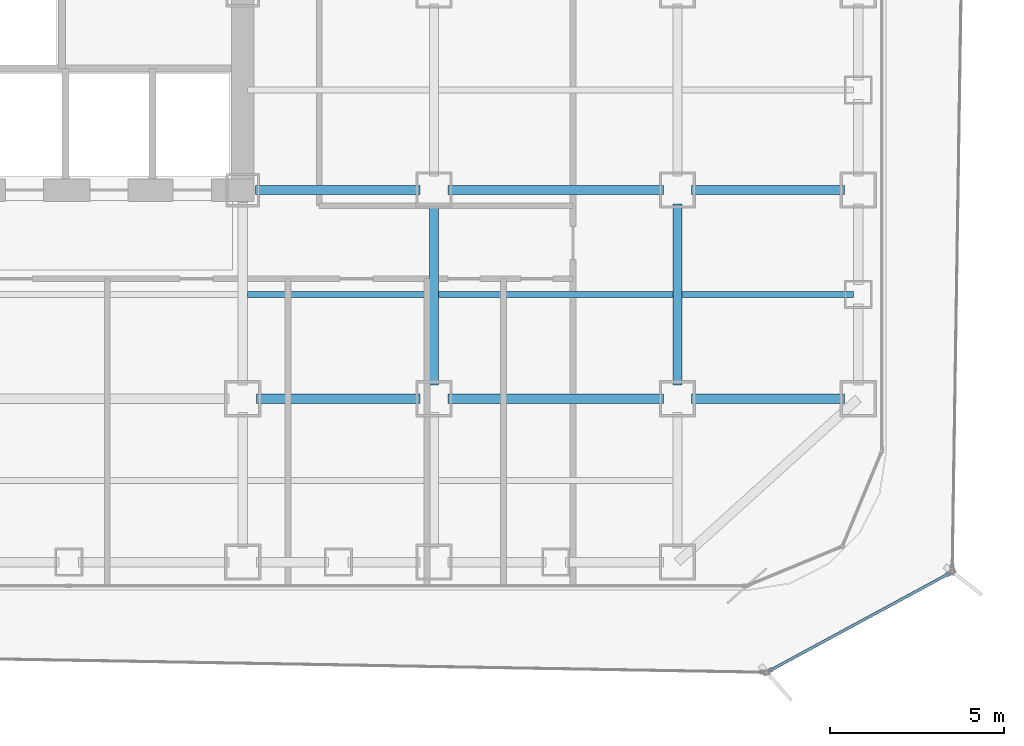
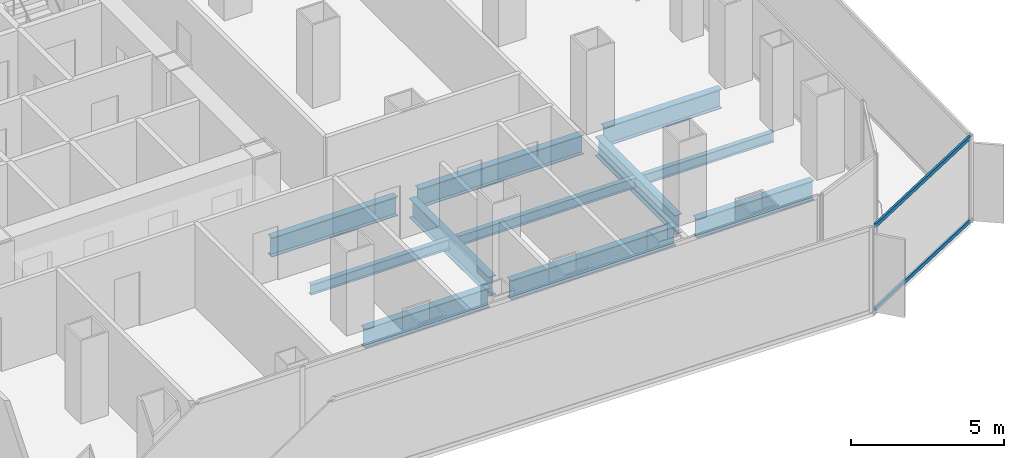
# One storey, part 7 of 22: 11 beams, 2 members, 1 element without a shape of its own.
"""IFC4 building model written with IfcOpenShell, lengths in metres."""

from ifc_helpers import new_model, si_unit, direction, frame, origin, origin_2d, place, context, subcontext, project, spatial, hollow_rectangle, i_section, extrude, source, transform, mapped, material, layer, layer_set, material_profile, profile_set, type_object, element, aggregate, save


model = new_model("IFC4")

# Units and contexts
model_context = context("Model", 3, precision=1e-05, world=origin(), true_north=direction((0.0, 1.0)))
body_context = subcontext(model_context, "Body", "Model", "MODEL_VIEW")
ifc_project = project(units=[si_unit("LENGTHUNIT", "METRE"), si_unit("AREAUNIT", "SQUARE_METRE"), si_unit("VOLUMEUNIT", "CUBIC_METRE"), si_unit("PLANEANGLEUNIT", "RADIAN"), si_unit("MASSUNIT", "GRAM", prefix="KILO")], contexts=[model_context])

# Site, building, storey
site_placement = place(None, origin())
site = spatial("IfcSite", under=ifc_project, at=site_placement, CompositionType="ELEMENT")
building_placement = place(site_placement, origin())
building = spatial("IfcBuilding", under=site, at=building_placement, Name="Kolveth Station Tower", CompositionType="ELEMENT")
storey_placement = place(building_placement, frame((0.0, 0.0, 54.89990234375)))
storey = spatial("IfcBuildingStorey", under=building, at=storey_placement, Name="L14", CompositionType="ELEMENT", Elevation=54.89990234375)

# Beams
ifc_material_1 = material(Name="Steel S355", Category="steel")
ifc_material_profile_1 = material_profile(ifc_material_1, i_section(OverallWidth=0.26708984375, OverallDepth=0.76611328125, WebThickness=0.014892578125, FlangeThickness=0.023681640625, at=origin_2d()), Name="W760x185")
ifc_profile_set_1 = profile_set([ifc_material_profile_1], Name="Steel S355")
beam_type_1 = type_object("IfcBeamType", Name="Beam_B3", PredefinedType="BEAM", material=ifc_profile_set_1)
shared_shape_1 = source(origin(), body_context, "Body", "SweptSolid", [
    extrude(i_section(OverallWidth=0.26708984375, OverallDepth=0.76611328125, WebThickness=0.014892578125, FlangeThickness=0.023681640625, at=origin_2d()), origin(), (0.0, 0.0, 1.0), 4.400146484375),
])
for number, where, z_axis, x_axis, name in (
    (1, (41.39990234375, 5.5, -0.662841796875), (1.0, 0.0, 0.0), (0.0, 1.0, 0.0), "L14 Primary Girder BM-L14-GY55-7"),
    (2, (41.39990234375, 11.5, -0.662841796875), (1.0, 0.0, 0.0), (0.0, 1.0, 0.0), "L14 Primary Girder BM-L14-GY115-7"),
):
    element("IfcBeam", number, at=place(storey_placement, frame(where, z_axis=z_axis, x_axis=x_axis)), inside=storey, type_object=beam_type_1, Name=name, PredefinedType="BEAM", context=body_context, shape_type="MappedRepresentation", body=[
        mapped(shared_shape_1, transform((0.0, 0.0, 0.0), x_axis=(1.0, 0.0, 0.0), y_axis=(0.0, 1.0, 0.0), z_axis=(0.0, 0.0, 1.0), scale=1.0)),
    ])
shared_shape_2 = source(origin(), body_context, "Body", "SweptSolid", [
    extrude(i_section(OverallWidth=0.26708984375, OverallDepth=0.76611328125, WebThickness=0.014892578125, FlangeThickness=0.023681640625, at=origin_2d()), origin(), (0.0, 0.0, 1.0), 6.2001953125),
])
for number, where, z_axis, x_axis, name in (
    (3, (34.39990234375, 5.5, -0.662841796875), (1.0, 0.0, 0.0), (0.0, 1.0, 0.0), "L14 Primary Girder BM-L14-GY55-6"),
    (4, (34.39990234375, 11.5, -0.662841796875), (1.0, 0.0, 0.0), (0.0, 1.0, 0.0), "L14 Primary Girder BM-L14-GY115-6"),
):
    element("IfcBeam", number, at=place(storey_placement, frame(where, z_axis=z_axis, x_axis=x_axis)), inside=storey, type_object=beam_type_1, Name=name, PredefinedType="BEAM", context=body_context, shape_type="MappedRepresentation", body=[
        mapped(shared_shape_2, transform((0.0, 0.0, 0.0), x_axis=(1.0, 0.0, 0.0), y_axis=(0.0, 1.0, 0.0), z_axis=(0.0, 0.0, 1.0), scale=1.0)),
    ])
shared_shape_3 = source(origin(), body_context, "Body", "SweptSolid", [
    extrude(i_section(OverallWidth=0.26708984375, OverallDepth=0.76611328125, WebThickness=0.014892578125, FlangeThickness=0.023681640625, at=origin_2d()), origin(), (0.0, 0.0, 1.0), 4.7001953125),
])
beam_1_placement = place(storey_placement, frame((28.89990234375, 5.5, -0.662841796875), z_axis=(1.0, 0.0, 0.0), x_axis=(0.0, 1.0, 0.0)))
element("IfcBeam", 5, at=beam_1_placement, inside=storey, type_object=beam_type_1, Name="L14 Primary Girder BM-L14-GY55-5", PredefinedType="BEAM", context=body_context, shape_type="MappedRepresentation", body=[
    mapped(shared_shape_3, transform((0.0, 0.0, 0.0), x_axis=(1.0, 0.0, 0.0), y_axis=(0.0, 1.0, 0.0), z_axis=(0.0, 0.0, 1.0), scale=1.0)),
])
shared_shape_4 = source(origin(), body_context, "Body", "SweptSolid", [
    extrude(i_section(OverallWidth=0.26708984375, OverallDepth=0.76611328125, WebThickness=0.014892578125, FlangeThickness=0.023681640625, at=origin_2d()), origin(), (0.0, 0.0, 1.0), 4.739990234375),
])
beam_2_placement = place(storey_placement, frame((28.860107421875, 11.5, -0.662841796875), z_axis=(1.0, 0.0, 0.0), x_axis=(0.0, 1.0, 0.0)))
element("IfcBeam", 6, at=beam_2_placement, inside=storey, type_object=beam_type_1, Name="L14 Primary Girder BM-L14-GY115-5", PredefinedType="BEAM", context=body_context, shape_type="MappedRepresentation", body=[
    mapped(shared_shape_4, transform((0.0, 0.0, 0.0), x_axis=(1.0, 0.0, 0.0), y_axis=(0.0, 1.0, 0.0), z_axis=(0.0, 0.0, 1.0), scale=1.0)),
])
shared_shape_5 = source(origin(), body_context, "Body", "SweptSolid", [
    extrude(i_section(OverallWidth=0.26708984375, OverallDepth=0.76611328125, WebThickness=0.014892578125, FlangeThickness=0.023681640625, at=origin_2d()), origin(), (0.0, 0.0, 1.0), 5.2001953125),
])
for number, where, z_axis, x_axis, name in (
    (7, (34.0, 5.89990234375, -0.662841796875), (0.0, 1.0, 0.0), (-1.0, 0.0, 0.0), "L14 Primary Girder BM-L14-GX340-2"),
    (8, (41.0, 5.89990234375, -0.662841796875), (0.0, 1.0, 0.0), (-1.0, 0.0, 0.0), "L14 Primary Girder BM-L14-GX410-2"),
):
    element("IfcBeam", number, at=place(storey_placement, frame(where, z_axis=z_axis, x_axis=x_axis)), inside=storey, type_object=beam_type_1, Name=name, PredefinedType="BEAM", context=body_context, shape_type="MappedRepresentation", body=[
        mapped(shared_shape_5, transform((0.0, 0.0, 0.0), x_axis=(1.0, 0.0, 0.0), y_axis=(0.0, 1.0, 0.0), z_axis=(0.0, 0.0, 1.0), scale=1.0)),
    ])
ifc_material_profile_2 = material_profile(ifc_material_1, i_section(OverallWidth=0.177978515625, OverallDepth=0.406982421875, WebThickness=0.0078125, FlangeThickness=0.0126953125, at=origin_2d()), Name="W410x60")
ifc_profile_set_2 = profile_set([ifc_material_profile_2], Name="Steel S355")
beam_type_2 = type_object("IfcBeamType", Name="Beam_J1", PredefinedType="JOIST", material=ifc_profile_set_2)
shared_shape_6 = source(origin(), body_context, "Body", "SweptSolid", [
    extrude(i_section(OverallWidth=0.177978515625, OverallDepth=0.406982421875, WebThickness=0.0078125, FlangeThickness=0.0126953125, at=origin_2d()), origin(), (0.0, 0.0, 1.0), 4.935791015625),
])
beam_3_placement = place(storey_placement, frame((41.131591796875, 8.5, -0.4833984375), z_axis=(1.0, 0.0, 0.0), x_axis=(0.0, 1.0, 0.0)))
element("IfcBeam", 9, at=beam_3_placement, inside=storey, type_object=beam_type_2, Name="L14 Secondary Joist JST-L14-7-2", PredefinedType="JOIST", context=body_context, shape_type="MappedRepresentation", body=[
    mapped(shared_shape_6, transform((0.0, 0.0, 0.0), x_axis=(1.0, 0.0, 0.0), y_axis=(0.0, 1.0, 0.0), z_axis=(0.0, 0.0, 1.0), scale=1.0)),
])
shared_shape_7 = source(origin(), body_context, "Body", "SweptSolid", [
    extrude(i_section(OverallWidth=0.177978515625, OverallDepth=0.406982421875, WebThickness=0.0078125, FlangeThickness=0.0126953125, at=origin_2d()), origin(), (0.0, 0.0, 1.0), 6.73681640625),
])
beam_4_placement = place(storey_placement, frame((34.131591796875, 8.5, -0.4833984375), z_axis=(1.0, 0.0, 0.0), x_axis=(0.0, 1.0, 0.0)))
element("IfcBeam", 10, at=beam_4_placement, inside=storey, type_object=beam_type_2, Name="L14 Secondary Joist JST-L14-6-2", PredefinedType="JOIST", context=body_context, shape_type="MappedRepresentation", body=[
    mapped(shared_shape_7, transform((0.0, 0.0, 0.0), x_axis=(1.0, 0.0, 0.0), y_axis=(0.0, 1.0, 0.0), z_axis=(0.0, 0.0, 1.0), scale=1.0)),
])
shared_shape_8 = source(origin(), body_context, "Body", "SweptSolid", [
    extrude(i_section(OverallWidth=0.177978515625, OverallDepth=0.406982421875, WebThickness=0.0078125, FlangeThickness=0.0126953125, at=origin_2d()), origin(), (0.0, 0.0, 1.0), 5.23681640625),
])
beam_5_placement = place(storey_placement, frame((28.631591796875, 8.5, -0.4833984375), z_axis=(1.0, 0.0, 0.0), x_axis=(0.0, 1.0, 0.0)))
element("IfcBeam", 11, at=beam_5_placement, inside=storey, type_object=beam_type_2, Name="L14 Secondary Joist JST-L14-5-2", PredefinedType="JOIST", context=body_context, shape_type="MappedRepresentation", body=[
    mapped(shared_shape_8, transform((0.0, 0.0, 0.0), x_axis=(1.0, 0.0, 0.0), y_axis=(0.0, 1.0, 0.0), z_axis=(0.0, 0.0, 1.0), scale=1.0)),
])

# Curtain wall, members
ifc_material_2 = material(Name="Black anodized aluminium 6063-T6 and dark solar glass", Category="aluminium")
ifc_layer = layer(ifc_material_2, 0.159912109375)
ifc_layer_set = layer_set([ifc_layer], Name="Black anodized aluminium 6063-T6 and dark solar glass")
curtain_wall_type = type_object("IfcCurtainWallType", Name="OUTER SKIN CW-OS", PredefinedType="NOTDEFINED", material=ifc_layer_set)
curtain_wall_placement = place(storey_placement, origin())
curtain_wall = element("IfcCurtainWall", 12, at=curtain_wall_placement, inside=storey, type_object=curtain_wall_type, Name="L14 Outer Ventilated Skin Curtain Wall 1", PredefinedType="NOTDEFINED")
ifc_material_3 = material(Name="Black anodized aluminium 6063-T6", Category="aluminium")
ifc_material_profile_3 = material_profile(ifc_material_3, hollow_rectangle(XDim=0.080078125, YDim=0.14990234375, WallThickness=0.0048828125, at=origin_2d()), Name="ALU-80x150x5")
ifc_profile_set_3 = profile_set([ifc_material_profile_3], Name="Black anodized aluminium 6063-T6")
member_type = type_object("IfcMemberType", Name="Transom_TR-OS", PredefinedType="USERDEFINED", material=ifc_profile_set_3)
shared_shape_9 = source(origin(), body_context, "Body", "SweptSolid", [
    extrude(hollow_rectangle(XDim=0.080078125, YDim=0.14990234375, WallThickness=0.0048828125, at=origin_2d()), origin(), (0.0, 0.0, 1.0), 5.89111328125),
])
member_1_placement = place(storey_placement, frame((43.645751953125, -2.32861328125, 0.0400390625), z_axis=(0.879310767606, 0.476248437239, 0.0), x_axis=(-0.476248437239, 0.879310767606, 0.0)))
member_1 = element("IfcMember", 13, at=member_1_placement, type_object=member_type, Name="CW-OS transom 1.1", ObjectType="TRANSOM", PredefinedType="USERDEFINED", context=body_context, shape_type="MappedRepresentation", body=[
    mapped(shared_shape_9, transform((0.0, 0.0, 0.0), x_axis=(1.0, 0.0, 0.0), y_axis=(0.0, 1.0, 0.0), z_axis=(0.0, 0.0, 1.0), scale=1.0)),
])
member_2_placement = place(storey_placement, frame((43.645751953125, -2.32861328125, 3.35009765625), z_axis=(0.879310767606, 0.476248437239, 0.0), x_axis=(-0.476248437239, 0.879310767606, 0.0)))
member_2 = element("IfcMember", 14, at=member_2_placement, type_object=member_type, Name="CW-OS transom 1.2", ObjectType="TRANSOM", PredefinedType="USERDEFINED", context=body_context, shape_type="MappedRepresentation", body=[
    mapped(shared_shape_9, transform((0.0, 0.0, 0.0), x_axis=(1.0, 0.0, 0.0), y_axis=(0.0, 1.0, 0.0), z_axis=(0.0, 0.0, 1.0), scale=1.0)),
])
aggregate(curtain_wall, [member_1, member_2])

save(model, "model.ifc")
